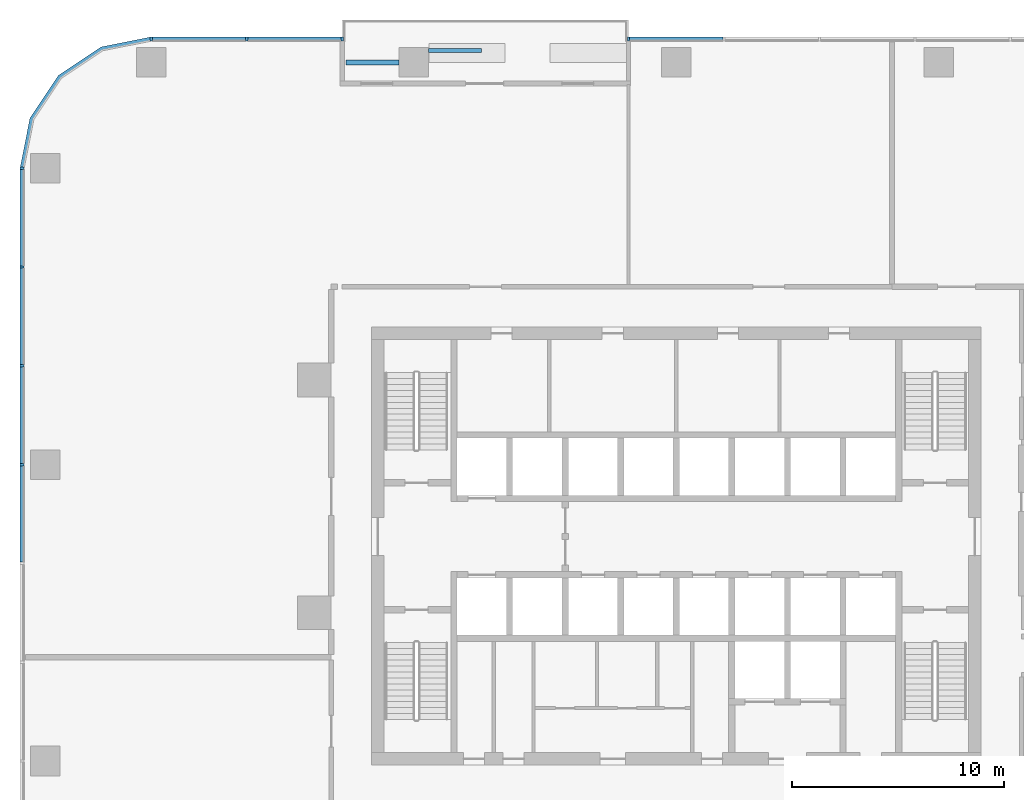
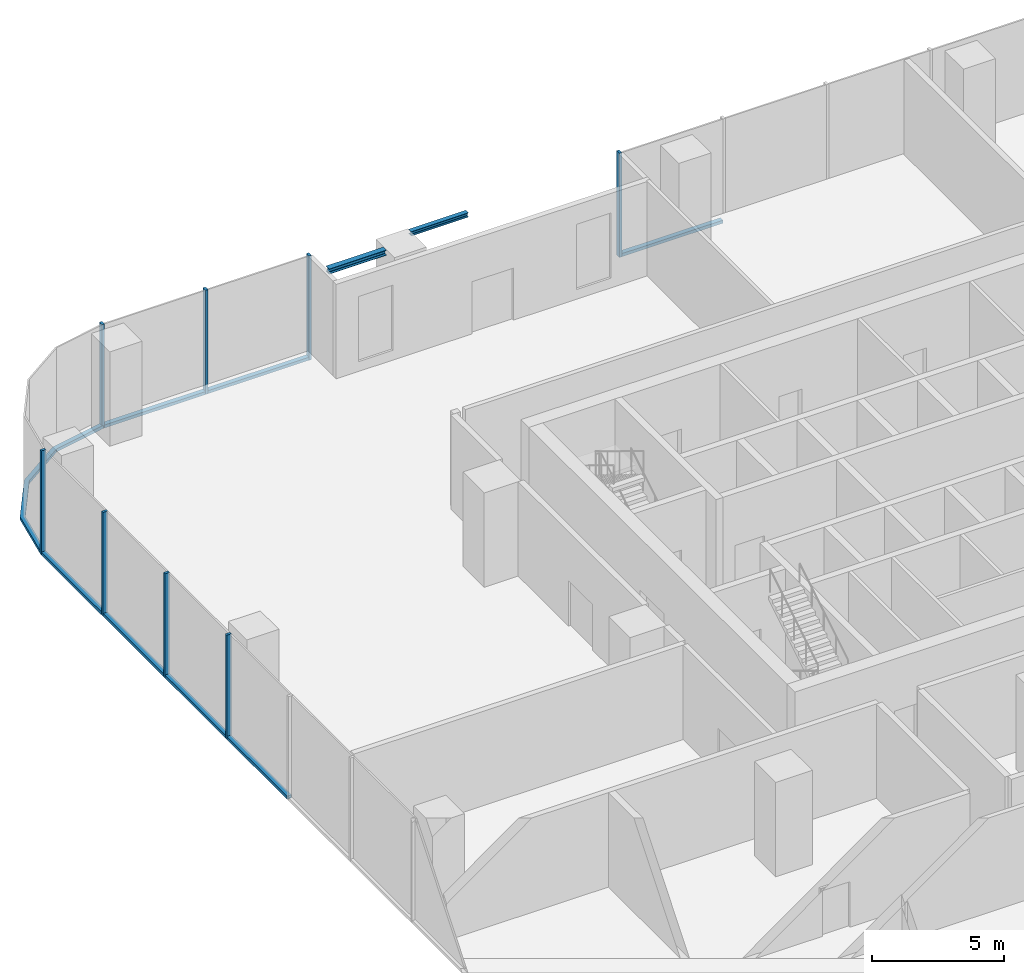
# One storey, part 4 of 15: 16 members, 2 beams, 4 elements without a shape of their own.
"""IFC4 building model written with IfcOpenShell, lengths in metres."""

from ifc_helpers import new_model, si_unit, direction, frame, origin, origin_2d, place, context, subcontext, project, spatial, polyline, rectangle, i_section, outline, extrude, material, material_profile, profile_set, type_object, element, aggregate, save


model = new_model("IFC4")

# Units and contexts
model_context = context("Model", 3, precision=1e-05, world=origin(), true_north=direction((0.0, 1.0)))
body_context = subcontext(model_context, "Body", "Model", "MODEL_VIEW")
ifc_project = project(units=[si_unit("LENGTHUNIT", "METRE"), si_unit("AREAUNIT", "SQUARE_METRE"), si_unit("VOLUMEUNIT", "CUBIC_METRE"), si_unit("PLANEANGLEUNIT", "RADIAN"), si_unit("MASSUNIT", "GRAM", prefix="KILO")], contexts=[model_context])

# Site, building, storey
site_placement = place(None, origin())
site = spatial("IfcSite", under=ifc_project, at=site_placement, CompositionType="ELEMENT")
building_placement = place(site_placement, origin())
building = spatial("IfcBuilding", under=site, at=building_placement, Name="Mopane Tessera Tower", CompositionType="ELEMENT")
storey_placement = place(building_placement, frame((0.0, 0.0, 64.60009765625)))
storey = spatial("IfcBuildingStorey", under=building, at=storey_placement, Name="L12", CompositionType="ELEMENT", Elevation=64.60009765625)

# Curtain wall, member
ifc_material_1 = material(Name="Aluminium frame", Category="aluminium")
curtain_wall_type = type_object("IfcCurtainWallType", Name="Lower tower unitised wall", PredefinedType="NOTDEFINED", material=ifc_material_1)
curtain_wall_1_placement = place(storey_placement, origin())
curtain_wall_1 = element("IfcCurtainWall", 1, at=curtain_wall_1_placement, inside=storey, type_object=curtain_wall_type, Name="e:cw:L12:N:0", PredefinedType="NOTDEFINED")
ifc_material_2 = material(Name="Aluminium frame", Category="aluminium")
ifc_material_profile_1 = material_profile(ifc_material_2, rectangle(XDim=0.110107421875, YDim=0.199951171875, at=origin_2d()))
ifc_profile_set_1 = profile_set([ifc_material_profile_1], Name="Aluminium frame")
member_type_1 = type_object("IfcMemberType", Name="Aluminium mullion 110 x 200", PredefinedType="MULLION", material=ifc_profile_set_1)
member_1_placement = place(storey_placement, frame((-2.254638671875, 27.10009765625, -0.4501953125), z_axis=(0.0, 0.0, 1.0), x_axis=(-1.0, 0.0, 0.0)))
member_1 = element("IfcMember", 2, at=member_1_placement, type_object=member_type_1, Name="e:cw:L12:N:0:mu6", PredefinedType="MULLION", context=body_context, shape_type="SweptSolid", body=[
    extrude(rectangle(XDim=0.110107421875, YDim=0.199951171875, at=origin_2d()), origin(), (0.0, 0.0, 1.0), 4.800048828125),
])

# Curtain wall, members
curtain_wall_2_placement = place(storey_placement, origin())
curtain_wall_2 = element("IfcCurtainWall", 3, at=curtain_wall_2_placement, inside=storey, type_object=curtain_wall_type, Name="e:cw:L12:N:9", PredefinedType="NOTDEFINED")
member_2_placement = place(storey_placement, frame((-15.78173828125, 27.10009765625, -0.4501953125), z_axis=(0.0, 0.0, 1.0), x_axis=(-1.0, 0.0, 0.0)))
member_2 = element("IfcMember", 4, at=member_2_placement, type_object=member_type_1, Name="e:cw:L12:N:9:mu9", PredefinedType="MULLION", context=body_context, shape_type="SweptSolid", body=[
    extrude(rectangle(XDim=0.110107421875, YDim=0.199951171875, at=origin_2d()), origin(), (0.0, 0.0, 1.0), 4.800048828125),
])
member_3_placement = place(storey_placement, frame((-20.291015625, 27.10009765625, -0.4501953125), z_axis=(0.0, 0.0, 1.0), x_axis=(-1.0, 0.0, 0.0)))
member_3 = element("IfcMember", 5, at=member_3_placement, type_object=member_type_1, Name="e:cw:L12:N:9:mu10", PredefinedType="MULLION", context=body_context, shape_type="SweptSolid", body=[
    extrude(rectangle(XDim=0.110107421875, YDim=0.199951171875, at=origin_2d()), origin(), (0.0, 0.0, 1.0), 4.800048828125),
])
member_4_placement = place(storey_placement, frame((-24.800048828125, 27.10009765625, -0.4501953125), z_axis=(0.0, 0.0, 1.0), x_axis=(-1.0, 0.0, 0.0)))
member_4 = element("IfcMember", 6, at=member_4_placement, type_object=member_type_1, Name="e:cw:L12:N:9:mu11", PredefinedType="MULLION", context=body_context, shape_type="SweptSolid", body=[
    extrude(rectangle(XDim=0.110107421875, YDim=0.199951171875, at=origin_2d()), origin(), (0.0, 0.0, 1.0), 4.800048828125),
])

curtain_wall_3_placement = place(storey_placement, origin())
curtain_wall_3 = element("IfcCurtainWall", 7, at=curtain_wall_3_placement, inside=storey, type_object=curtain_wall_type, Name="e:cw:L12:W:0", PredefinedType="NOTDEFINED")
member_5_placement = place(storey_placement, frame((-30.89990234375, 21.0, -0.4501953125), z_axis=(0.0, 0.0, 1.0), x_axis=(0.0, -1.0, 0.0)))
member_5 = element("IfcMember", 8, at=member_5_placement, type_object=member_type_1, Name="e:cw:L12:W:0:mu0", PredefinedType="MULLION", context=body_context, shape_type="SweptSolid", body=[
    extrude(rectangle(XDim=0.110107421875, YDim=0.199951171875, at=origin_2d()), origin(), (0.0, 0.0, 1.0), 4.800048828125),
])
member_6_placement = place(storey_placement, frame((-30.89990234375, 16.333251953125, -0.4501953125), z_axis=(0.0, 0.0, 1.0), x_axis=(0.0, -1.0, 0.0)))
member_6 = element("IfcMember", 9, at=member_6_placement, type_object=member_type_1, Name="e:cw:L12:W:0:mu1", PredefinedType="MULLION", context=body_context, shape_type="SweptSolid", body=[
    extrude(rectangle(XDim=0.110107421875, YDim=0.199951171875, at=origin_2d()), origin(), (0.0, 0.0, 1.0), 4.800048828125),
])
member_7_placement = place(storey_placement, frame((-30.89990234375, 11.666748046875, -0.4501953125), z_axis=(0.0, 0.0, 1.0), x_axis=(0.0, -1.0, 0.0)))
member_7 = element("IfcMember", 10, at=member_7_placement, type_object=member_type_1, Name="e:cw:L12:W:0:mu2", PredefinedType="MULLION", context=body_context, shape_type="SweptSolid", body=[
    extrude(rectangle(XDim=0.110107421875, YDim=0.199951171875, at=origin_2d()), origin(), (0.0, 0.0, 1.0), 4.800048828125),
])
member_8_placement = place(storey_placement, frame((-30.89990234375, 7.0, -0.4501953125), z_axis=(0.0, 0.0, 1.0), x_axis=(0.0, -1.0, 0.0)))
member_8 = element("IfcMember", 11, at=member_8_placement, type_object=member_type_1, Name="e:cw:L12:W:0:mu3", PredefinedType="MULLION", context=body_context, shape_type="SweptSolid", body=[
    extrude(rectangle(XDim=0.110107421875, YDim=0.199951171875, at=origin_2d()), origin(), (0.0, 0.0, 1.0), 4.800048828125),
])

# Member
ifc_material_3 = material(Name="Aluminium frame", Category="aluminium")
ifc_material_profile_2 = material_profile(ifc_material_3, rectangle(XDim=0.199951171875, YDim=0.139892578125, at=origin_2d()))
ifc_profile_set_2 = profile_set([ifc_material_profile_2], Name="Aluminium frame")
member_type_2 = type_object("IfcMemberType", Name="Aluminium transom 200 x 140", PredefinedType="USERDEFINED", material=ifc_profile_set_2)
member_9_placement = place(storey_placement, frame((2.199462890625, 27.10009765625, -0.380126953125), z_axis=(-1.0, 0.0, 0.0), x_axis=(0.0, -1.0, 0.0)))
member_9 = element("IfcMember", 12, at=member_9_placement, type_object=member_type_2, Name="e:cw:L12:N:0:tr5", ObjectType="TRANSOM", PredefinedType="USERDEFINED", context=body_context, shape_type="SweptSolid", body=[
    extrude(rectangle(XDim=0.199951171875, YDim=0.139892578125, at=origin_2d()), origin(), (0.0, 0.0, 1.0), 4.39892578125),
])

aggregate(curtain_wall_1, [member_1, member_9])

member_10_placement = place(storey_placement, frame((-15.8369140625, 27.10009765625, -0.380126953125), z_axis=(-1.0, 0.0, 0.0), x_axis=(0.0, -1.0, 0.0)))
member_10 = element("IfcMember", 13, at=member_10_placement, type_object=member_type_2, Name="e:cw:L12:N:9:tr9", ObjectType="TRANSOM", PredefinedType="USERDEFINED", context=body_context, shape_type="SweptSolid", body=[
    extrude(rectangle(XDim=0.199951171875, YDim=0.139892578125, at=origin_2d()), origin(), (0.0, 0.0, 1.0), 4.39892578125),
])

member_11_placement = place(storey_placement, frame((-20.345947265625, 27.10009765625, -0.380126953125), z_axis=(-1.0, 0.0, 0.0), x_axis=(0.0, -1.0, 0.0)))
member_11 = element("IfcMember", 14, at=member_11_placement, type_object=member_type_2, Name="e:cw:L12:N:9:tr10", ObjectType="TRANSOM", PredefinedType="USERDEFINED", context=body_context, shape_type="SweptSolid", body=[
    extrude(rectangle(XDim=0.199951171875, YDim=0.139892578125, at=origin_2d()), origin(), (0.0, 0.0, 1.0), 4.399169921875),
])

aggregate(curtain_wall_2, [member_2, member_3, member_4, member_10, member_11])

# Curtain wall, member
curtain_wall_4_placement = place(storey_placement, origin())
curtain_wall_4 = element("IfcCurtainWall", 15, at=curtain_wall_4_placement, inside=storey, type_object=curtain_wall_type, Name="e:cw:L12:CN", PredefinedType="NOTDEFINED")
member_12_placement = place(storey_placement, frame((0.0, 0.0, -0.4501953125)))
member_12 = element("IfcMember", 16, at=member_12_placement, type_object=member_type_2, Name="e:cw:L12:CN:tr", ObjectType="TRANSOM", PredefinedType="USERDEFINED", context=body_context, shape_type="SweptSolid", body=[
    extrude(outline(polyline([(-24.800048828125, 27.0), (-27.09619140625, 26.543212890625), (-29.042724609375, 25.24267578125), (-30.34326171875, 23.296142578125), (-30.800048828125, 21.0), (-31.0, 21.0), (-30.528076171875, 23.37255859375), (-29.18408203125, 25.384033203125), (-27.172607421875, 26.72802734375), (-24.800048828125, 27.199951171875), (-24.800048828125, 27.0)])), origin(), (0.0, 0.0, 1.0), 0.14013671875),
])
aggregate(curtain_wall_4, [member_12])

# Member
member_13_placement = place(storey_placement, frame((-30.89990234375, 20.945068359375, -0.380126953125), z_axis=(0.0, -1.0, 0.0), x_axis=(1.0, 0.0, 0.0)))
member_13 = element("IfcMember", 17, at=member_13_placement, type_object=member_type_2, Name="e:cw:L12:W:0:tr0", ObjectType="TRANSOM", PredefinedType="USERDEFINED", context=body_context, shape_type="SweptSolid", body=[
    extrude(rectangle(XDim=0.199951171875, YDim=0.139892578125, at=origin_2d()), origin(), (0.0, 0.0, 1.0), 4.556640625),
])

member_14_placement = place(storey_placement, frame((-30.89990234375, 16.2783203125, -0.380126953125), z_axis=(0.0, -1.0, 0.0), x_axis=(1.0, 0.0, 0.0)))
member_14 = element("IfcMember", 18, at=member_14_placement, type_object=member_type_2, Name="e:cw:L12:W:0:tr1", ObjectType="TRANSOM", PredefinedType="USERDEFINED", context=body_context, shape_type="SweptSolid", body=[
    extrude(rectangle(XDim=0.199951171875, YDim=0.139892578125, at=origin_2d()), origin(), (0.0, 0.0, 1.0), 4.556640625),
])

member_15_placement = place(storey_placement, frame((-30.89990234375, 11.611572265625, -0.380126953125), z_axis=(0.0, -1.0, 0.0), x_axis=(1.0, 0.0, 0.0)))
member_15 = element("IfcMember", 19, at=member_15_placement, type_object=member_type_2, Name="e:cw:L12:W:0:tr2", ObjectType="TRANSOM", PredefinedType="USERDEFINED", context=body_context, shape_type="SweptSolid", body=[
    extrude(rectangle(XDim=0.199951171875, YDim=0.139892578125, at=origin_2d()), origin(), (0.0, 0.0, 1.0), 4.556640625),
])

member_16_placement = place(storey_placement, frame((-30.89990234375, 6.945068359375, -0.380126953125), z_axis=(0.0, -1.0, 0.0), x_axis=(1.0, 0.0, 0.0)))
member_16 = element("IfcMember", 20, at=member_16_placement, type_object=member_type_2, Name="e:cw:L12:W:0:tr3", ObjectType="TRANSOM", PredefinedType="USERDEFINED", context=body_context, shape_type="SweptSolid", body=[
    extrude(rectangle(XDim=0.199951171875, YDim=0.139892578125, at=origin_2d()), origin(), (0.0, 0.0, 1.0), 4.556640625),
])

aggregate(curtain_wall_3, [member_5, member_6, member_7, member_8, member_13, member_14, member_15, member_16])

# Beams
ifc_material_4 = material(Name="Structural steel S460", Category="steel")
ifc_material_profile_3 = material_profile(ifc_material_4, i_section(OverallWidth=0.239990234375, OverallDepth=0.239990234375, WebThickness=0.010009765625, FlangeThickness=0.01708984375, FilletRadius=0.02099609375, at=origin_2d()))
ifc_profile_set_3 = profile_set([ifc_material_profile_3], Name="Structural steel S460")
beam_type_1 = type_object("IfcBeamType", Name="Terrace spandrel beam HE 240 B", PredefinedType="SPANDREL", material=ifc_profile_set_3)
beam_1_placement = place(storey_placement, frame((-13.102783203125, 26.0, 4.22998046875), z_axis=(-1.0, 0.0, 0.0), x_axis=(0.0, -1.0, 0.0)))
element("IfcBeam", 21, at=beam_1_placement, inside=storey, type_object=beam_type_1, Name="Terrace spandrel beam N2 L13", PredefinedType="SPANDREL", context=body_context, shape_type="SweptSolid", body=[
    extrude(i_section(OverallWidth=0.239990234375, OverallDepth=0.239990234375, WebThickness=0.010009765625, FlangeThickness=0.01708984375, FilletRadius=0.02099609375, at=origin_2d()), origin(), (0.0, 0.0, 1.0), 2.5),
])
ifc_material_5 = material(Name="Structural steel S460", Category="steel")
ifc_material_profile_4 = material_profile(ifc_material_5, i_section(OverallWidth=0.199951171875, OverallDepth=0.199951171875, WebThickness=0.009033203125, FlangeThickness=0.014892578125, FilletRadius=0.01806640625, at=origin_2d()))
ifc_profile_set_4 = profile_set([ifc_material_profile_4], Name="Structural steel S460")
beam_type_2 = type_object("IfcBeamType", Name="Terrace trimmer beam HE 200 B", PredefinedType="BEAM", material=ifc_profile_set_4)
beam_2_placement = place(storey_placement, frame((-11.697021484375, 26.56005859375, 4.25), z_axis=(1.0, 0.0, 0.0), x_axis=(0.0, 1.0, 0.0)))
element("IfcBeam", 22, at=beam_2_placement, inside=storey, type_object=beam_type_2, Name="Terrace trimmer beam N2 L13", PredefinedType="BEAM", context=body_context, shape_type="SweptSolid", body=[
    extrude(i_section(OverallWidth=0.199951171875, OverallDepth=0.199951171875, WebThickness=0.009033203125, FlangeThickness=0.014892578125, FilletRadius=0.01806640625, at=origin_2d()), origin(), (0.0, 0.0, 1.0), 2.5),
])

save(model, "model.ifc")
